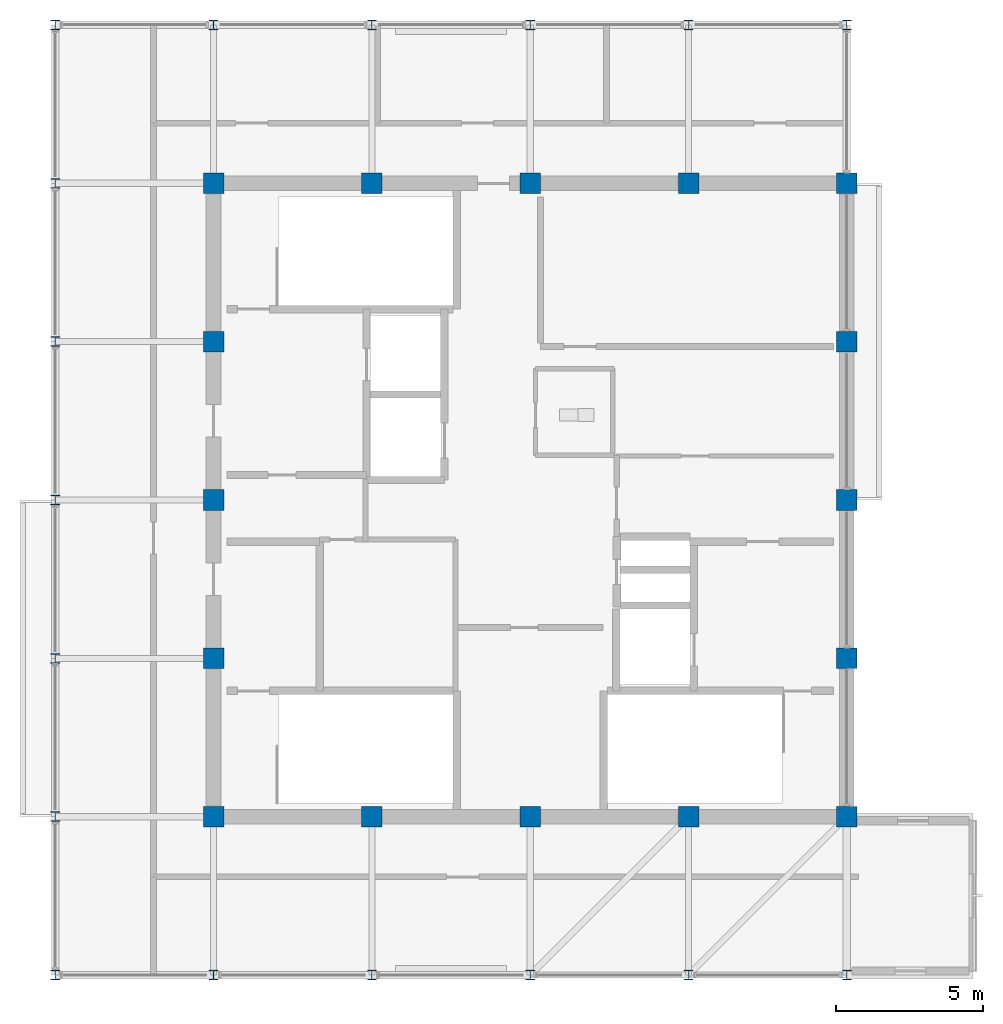
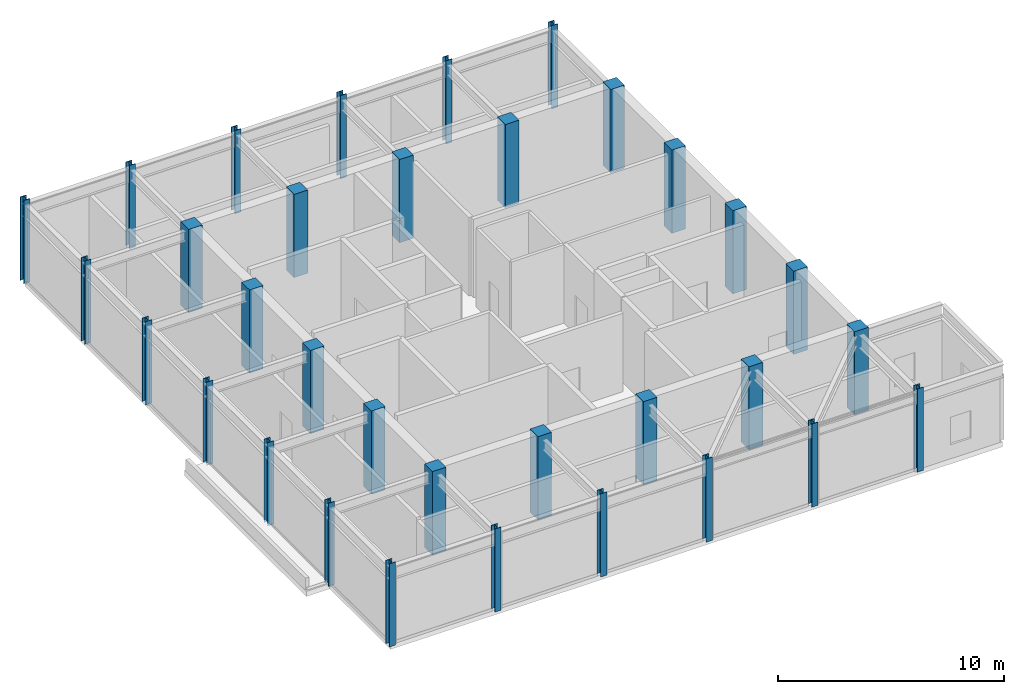
# One storey, part 1 of 18: 33 columns.
"""IFC4 building model written with IfcOpenShell, lengths in metres."""

import ifcopenshell
import ifcopenshell.guid

model = None  # the IFC model being written
_history = None  # IfcOwnerHistory: only IFC2X3 demands one
_inside = {}  # id of a spatial element -> (the spatial element, [elements in it])
_under = {}  # id of a project, library or spatial element -> (it, [spatial elements below it])
_declared = {}  # id of a project -> (the project, [libraries it declares])
_typed = {}  # id of a type object -> (the type object, [elements of that type])
_made_of = {}  # id of a material, layer set ... -> (it, [elements and type objects made of it])


def new_model(schema):
    """Start an empty IFC model of exactly this schema.

    Asked for "IFC4X3", IfcOpenShell would pick the latest addendum, in which some entities
    have other attributes; the version numbers below select the first issue.
    IFC2X3 requires an IfcOwnerHistory on every rooted entity: one is made here for all.
    """
    global model, _history
    if schema == "IFC4X3":
        model = ifcopenshell.file(schema_version=(4, 3, 0, 0))
    else:
        model = ifcopenshell.file(schema=schema)
    _inside.clear()
    _under.clear()
    _declared.clear()
    _typed.clear()
    _made_of.clear()
    _history = None
    if model.schema == "IFC2X3":
        org = make("IfcOrganization", Name="unknown")
        user = make(
            "IfcPersonAndOrganization",
            ThePerson=make("IfcPerson", FamilyName="unknown"),
            TheOrganization=org,
        )
        app = make(
            "IfcApplication",
            ApplicationDeveloper=org,
            Version="unknown",
            ApplicationFullName="unknown",
            ApplicationIdentifier="unknown",
        )
        _history = make(
            "IfcOwnerHistory",
            OwningUser=user,
            OwningApplication=app,
            ChangeAction="ADDED",
            CreationDate=0,
        )
    return model


def make(cls, **values):
    """One entity of the class cls with the attributes given. An attribute that is None is left unset."""
    return model.create_entity(
        cls, **{name: value for name, value in values.items() if value is not None}
    )


def rooted(cls, **values):
    """An entity with a GlobalId (a new one), such as an element, a storey or a relation."""
    return make(cls, GlobalId=ifcopenshell.guid.new(), OwnerHistory=_history, **values)


def si_unit(unit_type, name, prefix=None):
    """IfcSIUnit, for example si_unit("LENGTHUNIT", "METRE", prefix="MILLI")."""
    return make("IfcSIUnit", UnitType=unit_type, Prefix=prefix, Name=name)


def assignment(units):
    """IfcUnitAssignment: the units of a project."""
    return None if units is None else make("IfcUnitAssignment", Units=units)


def point(xyz):
    """IfcCartesianPoint."""
    return None if xyz is None else make("IfcCartesianPoint", Coordinates=xyz)


def direction(xyz):
    """IfcDirection."""
    return None if xyz is None else make("IfcDirection", DirectionRatios=xyz)


def frame(location, z_axis=None, x_axis=None):
    """IfcAxis2Placement3D, a coordinate frame: its origin and axes. An axis left out is left unset."""
    return make(
        "IfcAxis2Placement3D",
        Location=point(location),
        Axis=direction(z_axis),
        RefDirection=direction(x_axis),
    )


def frame_2d(location, x_axis=None):
    """IfcAxis2Placement2D, a coordinate frame in the plane: its origin and x axis."""
    return make(
        "IfcAxis2Placement2D", Location=point(location), RefDirection=direction(x_axis)
    )


def origin():
    """The frame at (0, 0, 0) with its axes left unset."""
    return frame((0.0, 0.0, 0.0))


def origin_2d():
    """The frame at (0, 0) in the plane with its x axis left unset."""
    return frame_2d((0.0, 0.0))


def place(relative_to, where):
    """IfcLocalPlacement: puts the frame where relative to a parent placement (None: the world)."""
    return make(
        "IfcLocalPlacement", PlacementRelTo=relative_to, RelativePlacement=where
    )


def context(
    kind, dimensions, precision=None, world=None, true_north=None, identifier=None
):
    """IfcGeometricRepresentationContext, for example the 3D "Model" context."""
    return make(
        "IfcGeometricRepresentationContext",
        ContextIdentifier=identifier,
        ContextType=kind,
        CoordinateSpaceDimension=dimensions,
        Precision=precision,
        WorldCoordinateSystem=world,
        TrueNorth=true_north,
    )


def subcontext(parent, identifier, kind, view, scale=None):
    """IfcGeometricRepresentationSubContext, for example "Body" below "Model"."""
    return make(
        "IfcGeometricRepresentationSubContext",
        ContextIdentifier=identifier,
        ContextType=kind,
        ParentContext=parent,
        TargetScale=scale,
        TargetView=view,
    )


def project(units=None, contexts=None):
    """IfcProject with its units and contexts."""
    return rooted(
        "IfcProject",
        Name="project",
        RepresentationContexts=contexts,
        UnitsInContext=assignment(units),
    )


def spatial(cls, under=None, at=None, **own):
    """A site, building, storey or space (cls), placed at a placement, below another one or the project."""
    s = rooted(cls, ObjectPlacement=at, **own)
    if under is not None:
        _under.setdefault(under.id(), (under, []))[1].append(s)
    return s


def profile(cls, at=None, kind="AREA", **sizes):
    """A parametric profile (cls). Its sizes go by their IFC names, for example OverallWidth=200.0."""
    return make(cls, ProfileType=kind, Position=at, **sizes)


def rectangle(**sizes):
    """IfcRectangleProfileDef."""
    return profile("IfcRectangleProfileDef", **sizes)


def i_section(**sizes):
    """IfcIShapeProfileDef."""
    return profile("IfcIShapeProfileDef", **sizes)


def extrude(swept, where, along, depth):
    """IfcExtrudedAreaSolid: the profile swept, set in the frame where, extruded along a direction by depth."""
    return make(
        "IfcExtrudedAreaSolid",
        SweptArea=swept,
        Position=where,
        ExtrudedDirection=direction(along),
        Depth=depth,
    )


def shape(context_of_items, identifier, shape_type, items):
    """IfcShapeRepresentation: the items that make up one representation, for example the "Body"."""
    return make(
        "IfcShapeRepresentation",
        ContextOfItems=context_of_items,
        RepresentationIdentifier=identifier,
        RepresentationType=shape_type,
        Items=items,
    )


def material(Name=None, Category=None):
    """IfcMaterial."""
    return make("IfcMaterial", Name=Name, Category=Category)


def material_profile(
    of_material, cross_section, Name=None, Category=None, Priority=None
):
    """IfcMaterialProfile: a cross section and its material."""
    return make(
        "IfcMaterialProfile",
        Name=Name,
        Material=of_material,
        Profile=cross_section,
        Priority=Priority,
        Category=Category,
    )


def profile_set(profiles, Name=None, composite=None):
    """IfcMaterialProfileSet."""
    return make(
        "IfcMaterialProfileSet",
        Name=Name,
        MaterialProfiles=profiles,
        CompositeProfile=composite,
    )


def made_of(thing, what):
    """Note that an element or type object is made of a material, layer set ...; save() writes the relation."""
    if what is not None:
        _made_of.setdefault(what.id(), (what, []))[1].append(thing)
    return thing


def type_object(cls, material=None, **own):
    """A type object (cls), such as IfcWallType, which elements share."""
    return made_of(rooted(cls, **own), material)


def element(
    cls,
    number,
    at=None,
    inside=None,
    cuts=None,
    type_object=None,
    material=None,
    context=None,
    identifier="Body",
    shape_type=None,
    held_by="IfcProductDefinitionShape",
    body=None,
    shapes=None,
    **own,
):
    """One element of the class cls, such as IfcWall. Its Tag is "e" and its number.

    at: its placement. inside: the storey or other place that contains it. cuts: it is an
    opening in that element (IfcRelVoidsElement). A single representation is given by context,
    identifier, shape_type and body (its items); several are given by shapes. held_by: the class
    of the entity that holds the representations. save() writes the other relations.
    """
    e = rooted(cls, Tag="e%d" % number, ObjectPlacement=at, **own)
    if body is not None:
        shapes = [shape(context, identifier, shape_type, body)]
    if shapes is not None:
        e.Representation = make(held_by, Representations=shapes)
    if inside is not None:
        _inside.setdefault(inside.id(), (inside, []))[1].append(e)
    if cuts is not None:
        rooted(
            "IfcRelVoidsElement", RelatingBuildingElement=cuts, RelatedOpeningElement=e
        )
    if type_object is not None:
        _typed.setdefault(type_object.id(), (type_object, []))[1].append(e)
    return made_of(e, material)


def aggregate(whole, parts):
    """IfcRelAggregates: a whole, such as a stair, and the parts it consists of."""
    return rooted("IfcRelAggregates", RelatingObject=whole, RelatedObjects=parts)


def save(model, path):
    """Write the relations noted so far, then the file.

    IfcRelAggregates (storeys below a building ...), IfcRelContainedInSpatialStructure (elements
    in a storey), IfcRelDefinesByType, IfcRelAssociatesMaterial and IfcRelDeclares: one each for
    every whole, place, type object, material and project.
    """
    for whole, parts in _under.values():
        aggregate(whole, parts)
    for where, things in _inside.values():
        rooted(
            "IfcRelContainedInSpatialStructure",
            RelatedElements=things,
            RelatingStructure=where,
        )
    for kind, things in _typed.values():
        rooted("IfcRelDefinesByType", RelatedObjects=things, RelatingType=kind)
    for what, things in _made_of.values():
        rooted("IfcRelAssociatesMaterial", RelatedObjects=things, RelatingMaterial=what)
    for by, libraries in _declared.values():
        rooted("IfcRelDeclares", RelatingContext=by, RelatedDefinitions=libraries)
    model.write(path)


model = new_model("IFC4")

# Units and contexts
model_context = context("Model", 3, precision=1e-05, world=origin(), true_north=direction((0.0, 1.0)))
body_context = subcontext(model_context, "Body", "Model", "MODEL_VIEW")
ifc_project = project(units=[si_unit("LENGTHUNIT", "METRE"), si_unit("AREAUNIT", "SQUARE_METRE"), si_unit("VOLUMEUNIT", "CUBIC_METRE"), si_unit("PLANEANGLEUNIT", "RADIAN"), si_unit("MASSUNIT", "GRAM", prefix="KILO")], contexts=[model_context])

# Site, building, storey
site_placement = place(None, origin())
site = spatial("IfcSite", under=ifc_project, at=site_placement, CompositionType="ELEMENT")
building_placement = place(site_placement, origin())
building = spatial("IfcBuilding", under=site, at=building_placement, Name="Surkhivell Harbour Commons", CompositionType="ELEMENT")
storey_placement = place(building_placement, frame((0.0, 0.0, 360.0)))
storey = spatial("IfcBuildingStorey", under=building, at=storey_placement, Name="L93", CompositionType="ELEMENT", Elevation=360.0)

# Columns
ifc_material_1 = material(Name="Steel S355", Category="steel")
ifc_material_profile_1 = material_profile(ifc_material_1, i_section(OverallWidth=0.31396484375, OverallDepth=0.340087890625, WebThickness=0.01904296875, FlangeThickness=0.031494140625, at=origin_2d()), Name="UC305x305x198")
ifc_profile_set_1 = profile_set([ifc_material_profile_1], Name="Steel S355")
column_type_1 = type_object("IfcColumnType", Name="COL-CRN-UC305", PredefinedType="COLUMN", material=ifc_profile_set_1)
for number, where, z_axis, x_axis, name in (
    (1, (-16.199951171875, -16.199951171875, 0.0), (0.0, 0.0, 1.0), (1.0, 0.0, 0.0), "L93 Column CCRN-3 (-16.2,-16.2)"),
    (2, (-16.199951171875, -10.800048828125, 0.0), (0.0, 0.0, 1.0), (1.0, 0.0, 0.0), "L93 Column CCRN-3 (-16.2,-10.8)"),
    (3, (-16.199951171875, -5.39990234375, 0.0), (0.0, 0.0, 1.0), (1.0, 0.0, 0.0), "L93 Column CCRN-3 (-16.2,-5.4)"),
    (4, (-16.199951171875, 0.0, 0.0), (0.0, 0.0, 1.0), (1.0, 0.0, 0.0), "L93 Column CCRN-3 (-16.2,0.0)"),
    (5, (-16.199951171875, 5.39990234375, 0.0), (0.0, 0.0, 1.0), (1.0, 0.0, 0.0), "L93 Column CCRN-3 (-16.2,5.4)"),
    (6, (-16.199951171875, 10.800048828125, 0.0), (0.0, 0.0, 1.0), (1.0, 0.0, 0.0), "L93 Column CCRN-3 (-16.2,10.8)"),
    (7, (-16.199951171875, 16.199951171875, 0.0), (0.0, 0.0, 1.0), (1.0, 0.0, 0.0), "L93 Column CCRN-3 (-16.2,16.2)"),
    (8, (-10.800048828125, -16.199951171875, 0.0), (0.0, 0.0, 1.0), (1.0, 0.0, 0.0), "L93 Column CCRN-3 (-10.8,-16.2)"),
    (9, (-10.800048828125, 16.199951171875, 0.0), (0.0, 0.0, 1.0), (1.0, 0.0, 0.0), "L93 Column CCRN-3 (-10.8,16.2)"),
    (10, (-5.39990234375, -16.199951171875, 0.0), (0.0, 0.0, 1.0), (1.0, 0.0, 0.0), "L93 Column CCRN-3 (-5.4,-16.2)"),
    (11, (-5.39990234375, 16.199951171875, 0.0), (0.0, 0.0, 1.0), (1.0, 0.0, 0.0), "L93 Column CCRN-3 (-5.4,16.2)"),
    (12, (0.0, -16.199951171875, 0.0), (0.0, 0.0, 1.0), (1.0, 0.0, 0.0), "L93 Column CCRN-3 (0.0,-16.2)"),
    (13, (0.0, 16.199951171875, 0.0), (0.0, 0.0, 1.0), (1.0, 0.0, 0.0), "L93 Column CCRN-3 (0.0,16.2)"),
    (14, (5.39990234375, -16.199951171875, 0.0), (0.0, 0.0, 1.0), (1.0, 0.0, 0.0), "L93 Column CCRN-3 (5.4,-16.2)"),
    (15, (5.39990234375, 16.199951171875, 0.0), (0.0, 0.0, 1.0), (1.0, 0.0, 0.0), "L93 Column CCRN-3 (5.4,16.2)"),
    (16, (10.800048828125, -16.199951171875, 0.0), (0.0, 0.0, 1.0), (1.0, 0.0, 0.0), "L93 Column CCRN-3 (10.8,-16.2)"),
    (17, (10.800048828125, 16.199951171875, 0.0), (0.0, 0.0, 1.0), (1.0, 0.0, 0.0), "L93 Column CCRN-3 (10.8,16.2)"),
):
    element("IfcColumn", number, at=place(storey_placement, frame(where, z_axis=z_axis, x_axis=x_axis)), inside=storey, type_object=column_type_1, Name=name, PredefinedType="COLUMN", context=body_context, shape_type="SweptSolid", body=[
        extrude(i_section(OverallWidth=0.31396484375, OverallDepth=0.340087890625, WebThickness=0.01904296875, FlangeThickness=0.031494140625, at=origin_2d()), origin(), (0.0, 0.0, 1.0), 4.5),
    ])
ifc_material_2 = material(Name="Concrete C50/60", Category="concrete")
ifc_material_profile_2 = material_profile(ifc_material_2, rectangle(XDim=0.699951171875, YDim=0.699951171875, at=origin_2d()), Name="RC-COL-700x700")
ifc_profile_set_2 = profile_set([ifc_material_profile_2], Name="Concrete C50/60")
column_type_2 = type_object("IfcColumnType", Name="COL-TUBE-Z4", PredefinedType="COLUMN", material=ifc_profile_set_2)
for number, where, z_axis, x_axis, name in (
    (18, (-10.800048828125, -10.800048828125, 0.0), (0.0, 0.0, 1.0), (1.0, 0.0, 0.0), "L93 Column CT-4 (-10.8,-10.8)"),
    (19, (-10.800048828125, -5.39990234375, 0.0), (0.0, 0.0, 1.0), (1.0, 0.0, 0.0), "L93 Column CT-4 (-10.8,-5.4)"),
    (20, (-10.800048828125, 0.0, 0.0), (0.0, 0.0, 1.0), (1.0, 0.0, 0.0), "L93 Column CT-4 (-10.8,0.0)"),
    (21, (-10.800048828125, 5.39990234375, 0.0), (0.0, 0.0, 1.0), (1.0, 0.0, 0.0), "L93 Column CT-4 (-10.8,5.4)"),
    (22, (-10.800048828125, 10.800048828125, 0.0), (0.0, 0.0, 1.0), (1.0, 0.0, 0.0), "L93 Column CT-4 (-10.8,10.8)"),
    (23, (-5.39990234375, -10.800048828125, 0.0), (0.0, 0.0, 1.0), (1.0, 0.0, 0.0), "L93 Column CT-4 (-5.4,-10.8)"),
    (24, (-5.39990234375, 10.800048828125, 0.0), (0.0, 0.0, 1.0), (1.0, 0.0, 0.0), "L93 Column CT-4 (-5.4,10.8)"),
    (25, (0.0, -10.800048828125, 0.0), (0.0, 0.0, 1.0), (1.0, 0.0, 0.0), "L93 Column CT-4 (0.0,-10.8)"),
    (26, (0.0, 10.800048828125, 0.0), (0.0, 0.0, 1.0), (1.0, 0.0, 0.0), "L93 Column CT-4 (0.0,10.8)"),
    (27, (5.39990234375, -10.800048828125, 0.0), (0.0, 0.0, 1.0), (1.0, 0.0, 0.0), "L93 Column CT-4 (5.4,-10.8)"),
    (28, (5.39990234375, 10.800048828125, 0.0), (0.0, 0.0, 1.0), (1.0, 0.0, 0.0), "L93 Column CT-4 (5.4,10.8)"),
    (29, (10.800048828125, -10.800048828125, 0.0), (0.0, 0.0, 1.0), (1.0, 0.0, 0.0), "L93 Column CT-4 (10.8,-10.8)"),
    (30, (10.800048828125, -5.39990234375, 0.0), (0.0, 0.0, 1.0), (1.0, 0.0, 0.0), "L93 Column CT-4 (10.8,-5.4)"),
    (31, (10.800048828125, 0.0, 0.0), (0.0, 0.0, 1.0), (1.0, 0.0, 0.0), "L93 Column CT-4 (10.8,0.0)"),
    (32, (10.800048828125, 5.39990234375, 0.0), (0.0, 0.0, 1.0), (1.0, 0.0, 0.0), "L93 Column CT-4 (10.8,5.4)"),
    (33, (10.800048828125, 10.800048828125, 0.0), (0.0, 0.0, 1.0), (1.0, 0.0, 0.0), "L93 Column CT-4 (10.8,10.8)"),
):
    element("IfcColumn", number, at=place(storey_placement, frame(where, z_axis=z_axis, x_axis=x_axis)), inside=storey, type_object=column_type_2, Name=name, PredefinedType="COLUMN", context=body_context, shape_type="SweptSolid", body=[
        extrude(rectangle(XDim=0.699951171875, YDim=0.699951171875, at=origin_2d()), origin(), (0.0, 0.0, 1.0), 4.5),
    ])

save(model, "model.ifc")
